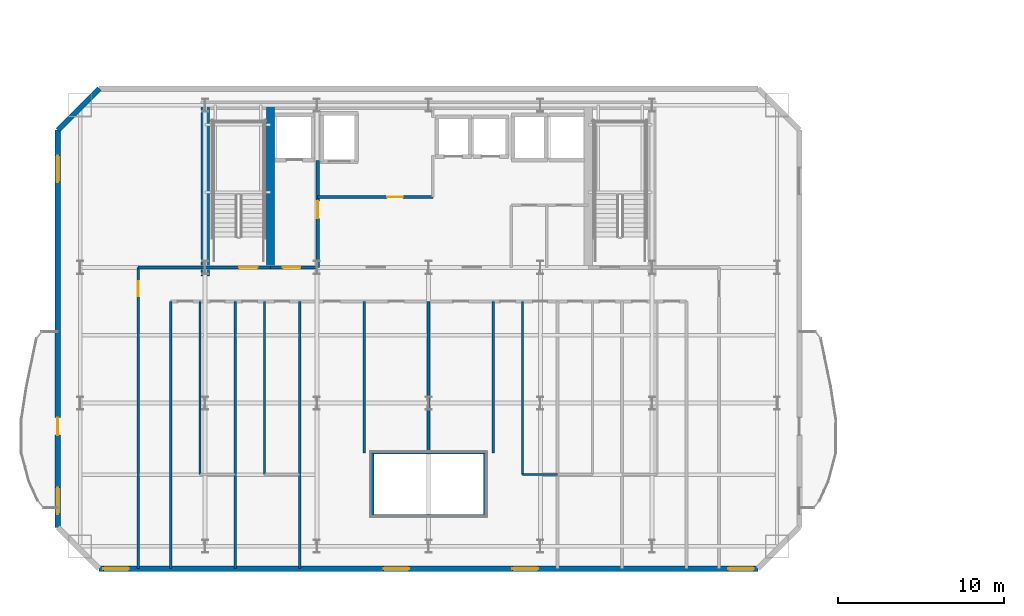
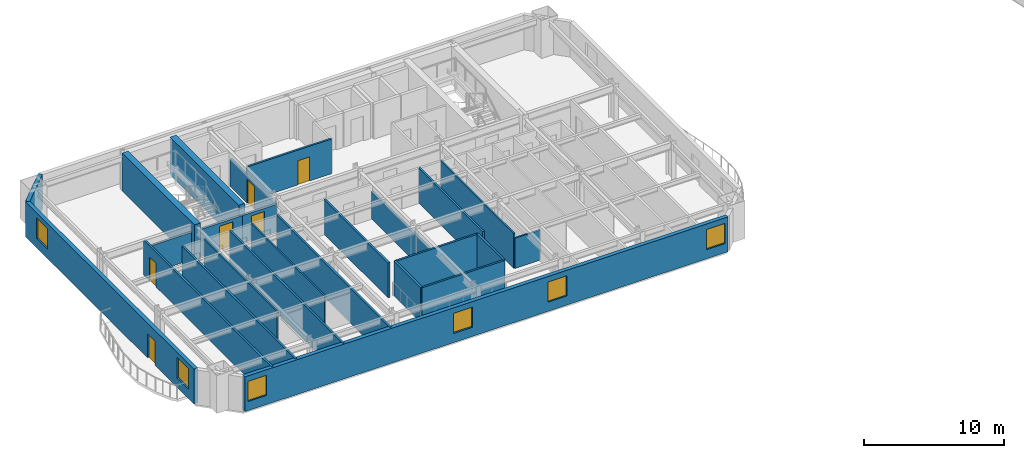
# One storey, part 5 of 14: 25 walls, 6 doors, 6 windows, 12 openings.
"""IFC4 building model written with IfcOpenShell, lengths in metres."""

from ifc_helpers import new_model, si_unit, direction, frame, frame_2d, origin, place, context, subcontext, project, spatial, rectangle, extrude, material, layer, layer_set, type_object, element, fill, save


model = new_model("IFC4")

# Units and contexts
model_context = context("Model", 3, precision=1e-05, world=origin(), true_north=direction((0.0, 1.0)))
body_context = subcontext(model_context, "Body", "Model", "MODEL_VIEW")
ifc_project = project(units=[si_unit("LENGTHUNIT", "METRE"), si_unit("AREAUNIT", "SQUARE_METRE"), si_unit("VOLUMEUNIT", "CUBIC_METRE"), si_unit("PLANEANGLEUNIT", "RADIAN"), si_unit("MASSUNIT", "GRAM", prefix="KILO")], contexts=[model_context])

# Site, building, storey
site_placement = place(None, origin())
site = spatial("IfcSite", under=ifc_project, at=site_placement, CompositionType="ELEMENT")
building_placement = place(site_placement, origin())
building = spatial("IfcBuilding", under=site, at=building_placement, Name="Haevon Station Towers", CompositionType="ELEMENT")
storey_placement = place(building_placement, frame((0.0, 0.0, 116.39990234375)))
storey = spatial("IfcBuildingStorey", under=building, at=storey_placement, Name="L31", CompositionType="ELEMENT", Elevation=116.39990234375)

# Walls
ifc_material_1 = material(Name="Gypsum board on steel stud", Category="steel")
ifc_layer_1 = layer(ifc_material_1, 0.179931640625)
ifc_layer_set_1 = layer_set([ifc_layer_1], Name="Gypsum board on steel stud")
wall_type_1 = type_object("IfcWallType", Name="WL-ACU180", PredefinedType="PARTITIONING", material=ifc_layer_set_1)
wall_1_placement = place(storey_placement, frame((19.949951171875, 38.199951171875, 0.0), z_axis=(0.0, 0.0, 1.0), x_axis=(1.0, 0.0, 0.0)))
element("IfcWall", 1, at=wall_1_placement, inside=storey, type_object=wall_type_1, Name="WL-T1PT-L31-03", PredefinedType="PARTITIONING", context=body_context, shape_type="SweptSolid", body=[
    extrude(rectangle(XDim=4.050048828125, YDim=0.179931640625, at=frame_2d((2.02490234375, 0.0))), origin(), (0.0, 0.0, 1.0), 2.380126953125),
])
wall_2_placement = place(storey_placement, frame((34.10009765625, 23.199951171875, 0.0), z_axis=(0.0, 0.0, 1.0), x_axis=(0.0, 1.0, 0.0)))
element("IfcWall", 2, at=wall_2_placement, inside=storey, type_object=wall_type_1, Name="WL-T1PT-L31-09", PredefinedType="PARTITIONING", context=body_context, shape_type="SweptSolid", body=[
    extrude(rectangle(XDim=3.800048828125, YDim=0.179931640625, at=frame_2d((1.89990234375, 0.0))), origin(), (0.0, 0.0, 1.0), 3.030029296875),
])
wall_3_placement = place(storey_placement, frame((37.5, 27.0, 0.0), z_axis=(0.0, 0.0, 1.0), x_axis=(0.0, 1.0, 0.0)))
element("IfcWall", 3, at=wall_3_placement, inside=storey, type_object=wall_type_1, Name="WL-T1PT-L31-18", PredefinedType="PARTITIONING", context=body_context, shape_type="SweptSolid", body=[
    extrude(rectangle(XDim=9.14990234375, YDim=0.179931640625, at=frame_2d((4.574951171875, 0.0))), origin(), (0.0, 0.0, 1.0), 2.380126953125),
])

# Wall, opening, door
ifc_layer_2 = layer(ifc_material_1, 0.199951171875)
ifc_layer_set_2 = layer_set([ifc_layer_2], Name="Gypsum board on steel stud")
wall_type_2 = type_object("IfcWallType", Name="WL-COR200", PredefinedType="PARTITIONING", material=ifc_layer_set_2)
wall_4_placement = place(storey_placement, frame((24.0, 38.199951171875, 0.0), z_axis=(0.0, 0.0, 1.0), x_axis=(1.0, 0.0, 0.0)))
wall_4 = element("IfcWall", 4, at=wall_4_placement, inside=storey, type_object=wall_type_2, Name="WL-ST-ST1-L31", PredefinedType="PARTITIONING", context=body_context, shape_type="SweptSolid", body=[
    extrude(rectangle(XDim=3.949951171875, YDim=0.199951171875, at=frame_2d((1.97509765625, 0.0))), origin(), (0.0, 0.0, 1.0), 2.380126953125),
])
opening_1_placement = place(wall_4_placement, frame((2.050048828125, 0.0, 0.0)))
opening_1 = element("IfcOpeningElement", 5, at=opening_1_placement, cuts=wall_4, Name="Opening DR-ST-ST1-L31", PredefinedType="OPENING", context=body_context, shape_type="SweptSolid", body=[
    extrude(rectangle(XDim=1.1201171875, YDim=2.10009765625, at=frame_2d((0.56005859375, 1.050048828125))), frame((0.0, 0.10986328125, 0.0), z_axis=(0.0, -1.0, 0.0), x_axis=(1.0, 0.0, 0.0)), (0.0, 0.0, 1.0), 0.219970703125),
])
ifc_material_2 = material(Name="Engineered oak timber", Category="wood")
door_type_1 = type_object("IfcDoorType", Name="DR-ST-1120", OperationType="NOTDEFINED", PredefinedType="DOOR", material=ifc_material_2)
door_1_placement = place(opening_1_placement, origin())
door_1 = element("IfcDoor", 6, at=door_1_placement, inside=storey, type_object=door_type_1, Name="L31 Escape Stair ST1 Fire Door", OperationType="SINGLE_SWING_LEFT", OverallHeight=2.10009765625, OverallWidth=1.1201171875, PredefinedType="DOOR", context=body_context, shape_type="SweptSolid", body=[
    extrude(rectangle(XDim=1.1201171875, YDim=2.10009765625, at=frame_2d((0.56005859375, 1.050048828125))), frame((0.0, 0.02490234375, 0.0), z_axis=(0.0, -1.0, 0.0), x_axis=(1.0, 0.0, 0.0)), (0.0, 0.0, 1.0), 0.050048828125),
])
fill(opening_1, door_1)

wall_5_placement = place(storey_placement, frame((30.800048828125, 38.199951171875, 0.0), z_axis=(0.0, 0.0, 1.0), x_axis=(0.0, 1.0, 0.0)))
wall_5 = element("IfcWall", 7, at=wall_5_placement, inside=storey, type_object=wall_type_2, Name="WL-T1FFL-L31-E", PredefinedType="PARTITIONING", context=body_context, shape_type="SweptSolid", body=[
    extrude(rectangle(XDim=6.449951171875, YDim=0.199951171875, at=frame_2d((3.22509765625, 0.0))), origin(), (0.0, 0.0, 1.0), 2.380126953125),
])
opening_2_placement = place(wall_5_placement, frame((2.9599609375, 0.0, 0.0)))
opening_2 = element("IfcOpeningElement", 8, at=opening_2_placement, cuts=wall_5, Name="Opening DR-T1FFL-L31-E", PredefinedType="OPENING", context=body_context, shape_type="SweptSolid", body=[
    extrude(rectangle(XDim=1.050048828125, YDim=2.10009765625, at=frame_2d((0.52490234375, 1.050048828125))), frame((0.0, 0.10986328125, 0.0), z_axis=(0.0, -1.0, 0.0), x_axis=(1.0, 0.0, 0.0)), (0.0, 0.0, 1.0), 0.219970703125),
])
door_type_2 = type_object("IfcDoorType", Name="DR-FD60-1050", OperationType="NOTDEFINED", PredefinedType="DOOR", material=ifc_material_2)
door_2_placement = place(opening_2_placement, origin())
door_2 = element("IfcDoor", 9, at=door_2_placement, inside=storey, type_object=door_type_2, Name="L31 Tower 1 Firefighting Lift Lobby Door E", OperationType="SINGLE_SWING_LEFT", OverallHeight=2.10009765625, OverallWidth=1.050048828125, PredefinedType="DOOR", context=body_context, shape_type="SweptSolid", body=[
    extrude(rectangle(XDim=1.050048828125, YDim=2.10009765625, at=frame_2d((0.52490234375, 1.050048828125))), frame((0.0, 0.02490234375, 0.0), z_axis=(0.0, -1.0, 0.0), x_axis=(1.0, 0.0, 0.0)), (0.0, 0.0, 1.0), 0.050048828125),
])
fill(opening_2, door_2)

wall_6_placement = place(storey_placement, frame((27.949951171875, 38.199951171875, 0.0), z_axis=(0.0, 0.0, 1.0), x_axis=(1.0, 0.0, 0.0)))
wall_6 = element("IfcWall", 10, at=wall_6_placement, inside=storey, type_object=wall_type_2, Name="WL-T1FFL-L31-S", PredefinedType="PARTITIONING", context=body_context, shape_type="SweptSolid", body=[
    extrude(rectangle(XDim=2.85009765625, YDim=0.199951171875, at=frame_2d((1.425048828125, 0.0))), origin(), (0.0, 0.0, 1.0), 2.380126953125),
])
opening_3_placement = place(wall_6_placement, frame((0.75, 0.0, 0.0)))
opening_3 = element("IfcOpeningElement", 11, at=opening_3_placement, cuts=wall_6, Name="Opening DR-T1FFL-L31-S", PredefinedType="OPENING", context=body_context, shape_type="SweptSolid", body=[
    extrude(rectangle(XDim=1.050048828125, YDim=2.10009765625, at=frame_2d((0.52490234375, 1.050048828125))), frame((0.0, 0.10986328125, 0.0), z_axis=(0.0, -1.0, 0.0), x_axis=(1.0, 0.0, 0.0)), (0.0, 0.0, 1.0), 0.219970703125),
])
door_3_placement = place(opening_3_placement, origin())
door_3 = element("IfcDoor", 12, at=door_3_placement, inside=storey, type_object=door_type_2, Name="L31 Tower 1 Firefighting Lift Lobby Door S", OperationType="SINGLE_SWING_RIGHT", OverallHeight=2.10009765625, OverallWidth=1.050048828125, PredefinedType="DOOR", context=body_context, shape_type="SweptSolid", body=[
    extrude(rectangle(XDim=1.050048828125, YDim=2.10009765625, at=frame_2d((0.52490234375, 1.050048828125))), frame((0.0, 0.02490234375, 0.0), z_axis=(0.0, -1.0, 0.0), x_axis=(1.0, 0.0, 0.0)), (0.0, 0.0, 1.0), 0.050048828125),
])
fill(opening_3, door_3)

# Walls
ifc_material_3 = material(Name="Concrete C60/75", Category="concrete")
ifc_layer_3 = layer(ifc_material_3, 0.5)
ifc_layer_set_3 = layer_set([ifc_layer_3], Name="Concrete C60/75")
wall_type_3 = type_object("IfcWallType", Name="WL-CR500", PredefinedType="SHEAR", material=ifc_layer_set_3)
wall_7_placement = place(storey_placement, frame((24.0, 37.679931640625, 0.0), z_axis=(0.0, 0.0, 1.0), x_axis=(0.0, 1.0, 0.0)))
element("IfcWall", 13, at=wall_7_placement, inside=storey, type_object=wall_type_3, Name="WL-T1CR-L31-W", PredefinedType="SHEAR", context=body_context, shape_type="SweptSolid", body=[
    extrude(rectangle(XDim=10.320068359375, YDim=0.5, at=frame_2d((5.16015625, 0.0))), origin(), (0.0, 0.0, 1.0), 3.300048828125),
])
wall_8_placement = place(storey_placement, frame((27.949951171875, 38.199951171875, 0.0), z_axis=(0.0, 0.0, 1.0), x_axis=(0.0, 1.0, 0.0)))
element("IfcWall", 14, at=wall_8_placement, inside=storey, type_object=wall_type_3, Name="WL-T1CR-L31-M1", PredefinedType="SHEAR", context=body_context, shape_type="SweptSolid", body=[
    extrude(rectangle(XDim=9.800048828125, YDim=0.5, at=frame_2d((4.89990234375, 0.0))), origin(), (0.0, 0.0, 1.0), 3.300048828125),
])

# Wall, openings, windows
ifc_material_4 = material(Name="Precast concrete C45/55", Category="concrete")
ifc_layer_4 = layer(ifc_material_4, 0.320068359375)
ifc_layer_set_4 = layer_set([ifc_layer_4], Name="Precast concrete C45/55")
wall_type_4 = type_object("IfcWallType", Name="WL-EXT-PIER320", PredefinedType="SOLIDWALL", material=ifc_layer_set_4)
wall_9_placement = place(storey_placement, frame((57.39990234375, 20.0, 0.0), z_axis=(0.0, 0.0, 1.0), x_axis=(-1.0, 0.0, 0.0)))
wall_9 = element("IfcWall", 15, at=wall_9_placement, inside=storey, type_object=wall_type_4, Name="WL-T1-L31-S", PredefinedType="SOLIDWALL", context=body_context, shape_type="SweptSolid", body=[
    extrude(rectangle(XDim=39.7998046875, YDim=0.320068359375, at=frame_2d((19.89990234375, 0.0))), origin(), (0.0, 0.0, 1.0), 3.030029296875),
])
opening_4_placement = place(wall_9_placement, frame((38.0, 0.0, 0.800048828125)))
opening_4 = element("IfcOpeningElement", 16, at=opening_4_placement, cuts=wall_9, Name="Opening WN-P155", PredefinedType="OPENING", context=body_context, shape_type="SweptSolid", body=[
    extrude(rectangle(XDim=1.550048828125, YDim=1.75, at=frame_2d((0.77490234375, 0.875))), frame((0.0, 0.169921875, 0.0), z_axis=(0.0, -1.0, 0.0), x_axis=(1.0, 0.0, 0.0)), (0.0, 0.0, 1.0), 0.340087890625),
])
opening_5_placement = place(wall_9_placement, frame((0.25, 0.0, 0.800048828125)))
opening_5 = element("IfcOpeningElement", 17, at=opening_5_placement, cuts=wall_9, Name="Opening WN-P155", PredefinedType="OPENING", context=body_context, shape_type="SweptSolid", body=[
    extrude(rectangle(XDim=1.550048828125, YDim=1.75, at=frame_2d((0.77490234375, 0.875))), frame((0.0, 0.169921875, 0.0), z_axis=(0.0, -1.0, 0.0), x_axis=(1.0, 0.0, 0.0)), (0.0, 0.0, 1.0), 0.340087890625),
])
opening_6_placement = place(wall_9_placement, frame((21.072509765625, 0.0, 0.800048828125)))
opening_6 = element("IfcOpeningElement", 18, at=opening_6_placement, cuts=wall_9, Name="Opening WN-P155", PredefinedType="OPENING", context=body_context, shape_type="SweptSolid", body=[
    extrude(rectangle(XDim=1.550048828125, YDim=1.75, at=frame_2d((0.77490234375, 0.875))), frame((0.0, 0.169921875, 0.0), z_axis=(0.0, -1.0, 0.0), x_axis=(1.0, 0.0, 0.0)), (0.0, 0.0, 1.0), 0.340087890625),
])
opening_7_placement = place(wall_9_placement, frame((13.282470703125, 0.0, 0.800048828125)))
opening_7 = element("IfcOpeningElement", 19, at=opening_7_placement, cuts=wall_9, Name="Opening WN-P155", PredefinedType="OPENING", context=body_context, shape_type="SweptSolid", body=[
    extrude(rectangle(XDim=1.550048828125, YDim=1.75, at=frame_2d((0.77490234375, 0.875))), frame((0.0, 0.169921875, 0.0), z_axis=(0.0, -1.0, 0.0), x_axis=(1.0, 0.0, 0.0)), (0.0, 0.0, 1.0), 0.340087890625),
])
ifc_material_5 = material(Name="Low-E triple glazing in thermally broken aluminium", Category="aluminium")
window_type_1 = type_object("IfcWindowType", Name="WN-P155", PartitioningType="SINGLE_PANEL", PredefinedType="WINDOW", material=ifc_material_5)
window_1_placement = place(opening_4_placement, origin())
window_1 = element("IfcWindow", 20, at=window_1_placement, inside=storey, type_object=window_type_1, Name="WN-T1-L31-S01", OverallHeight=1.75, OverallWidth=1.550048828125, PartitioningType="SINGLE_PANEL", PredefinedType="WINDOW", context=body_context, shape_type="SweptSolid", body=[
    extrude(rectangle(XDim=1.550048828125, YDim=1.75, at=frame_2d((0.77490234375, 0.875))), frame((0.0, 0.030029296875, 0.0), z_axis=(0.0, -1.0, 0.0), x_axis=(1.0, 0.0, 0.0)), (0.0, 0.0, 1.0), 0.06005859375),
])
fill(opening_4, window_1)
window_2_placement = place(opening_5_placement, origin())
window_2 = element("IfcWindow", 21, at=window_2_placement, inside=storey, type_object=window_type_1, Name="WN-T1-L31-S02", OverallHeight=1.75, OverallWidth=1.550048828125, PartitioningType="SINGLE_PANEL", PredefinedType="WINDOW", context=body_context, shape_type="SweptSolid", body=[
    extrude(rectangle(XDim=1.550048828125, YDim=1.75, at=frame_2d((0.77490234375, 0.875))), frame((0.0, 0.030029296875, 0.0), z_axis=(0.0, -1.0, 0.0), x_axis=(1.0, 0.0, 0.0)), (0.0, 0.0, 1.0), 0.06005859375),
])
fill(opening_5, window_2)
window_3_placement = place(opening_6_placement, origin())
window_3 = element("IfcWindow", 22, at=window_3_placement, inside=storey, type_object=window_type_1, Name="WN-T1-L31-S03", OverallHeight=1.75, OverallWidth=1.550048828125, PartitioningType="SINGLE_PANEL", PredefinedType="WINDOW", context=body_context, shape_type="SweptSolid", body=[
    extrude(rectangle(XDim=1.550048828125, YDim=1.75, at=frame_2d((0.77490234375, 0.875))), frame((0.0, 0.030029296875, 0.0), z_axis=(0.0, -1.0, 0.0), x_axis=(1.0, 0.0, 0.0)), (0.0, 0.0, 1.0), 0.06005859375),
])
fill(opening_6, window_3)
window_4_placement = place(opening_7_placement, origin())
window_4 = element("IfcWindow", 23, at=window_4_placement, inside=storey, type_object=window_type_1, Name="WN-T1-L31-S04", OverallHeight=1.75, OverallWidth=1.550048828125, PartitioningType="SINGLE_PANEL", PredefinedType="WINDOW", context=body_context, shape_type="SweptSolid", body=[
    extrude(rectangle(XDim=1.550048828125, YDim=1.75, at=frame_2d((0.77490234375, 0.875))), frame((0.0, 0.030029296875, 0.0), z_axis=(0.0, -1.0, 0.0), x_axis=(1.0, 0.0, 0.0)), (0.0, 0.0, 1.0), 0.06005859375),
])
fill(opening_7, window_4)

# Wall, openings, door, windows
wall_10_placement = place(storey_placement, frame((15.10009765625, 22.5, 0.0), z_axis=(0.0, 0.0, 1.0), x_axis=(0.0, 1.0, 0.0)))
wall_10 = element("IfcWall", 24, at=wall_10_placement, inside=storey, type_object=wall_type_4, Name="WL-T1-L31-W", PredefinedType="SOLIDWALL", context=body_context, shape_type="SweptSolid", body=[
    extrude(rectangle(XDim=24.0, YDim=0.320068359375, at=frame_2d((12.0, 0.0))), origin(), (0.0, 0.0, 1.0), 3.030029296875),
])
opening_8_placement = place(wall_10_placement, frame((5.574951171875, 0.0, 0.0)))
opening_8 = element("IfcOpeningElement", 25, at=opening_8_placement, cuts=wall_10, Name="Opening DR-T1-SCAL-L31-W", PredefinedType="OPENING", context=body_context, shape_type="SweptSolid", body=[
    extrude(rectangle(XDim=1.050048828125, YDim=2.10009765625, at=frame_2d((0.52490234375, 1.050048828125))), frame((0.0, 0.169921875, 0.0), z_axis=(0.0, -1.0, 0.0), x_axis=(1.0, 0.0, 0.0)), (0.0, 0.0, 1.0), 0.340087890625),
])
opening_9_placement = place(wall_10_placement, frame((0.800048828125, 0.0, 0.800048828125)))
opening_9 = element("IfcOpeningElement", 26, at=opening_9_placement, cuts=wall_10, Name="Opening WN-END160", PredefinedType="OPENING", context=body_context, shape_type="SweptSolid", body=[
    extrude(rectangle(XDim=1.60009765625, YDim=1.800048828125, at=frame_2d((0.800048828125, 0.89990234375))), frame((0.0, 0.169921875, 0.0), z_axis=(0.0, -1.0, 0.0), x_axis=(1.0, 0.0, 0.0)), (0.0, 0.0, 1.0), 0.340087890625),
])
opening_10_placement = place(wall_10_placement, frame((20.857177734375, 0.0, 0.800048828125)))
opening_10 = element("IfcOpeningElement", 27, at=opening_10_placement, cuts=wall_10, Name="Opening WN-END160", PredefinedType="OPENING", context=body_context, shape_type="SweptSolid", body=[
    extrude(rectangle(XDim=1.60009765625, YDim=1.800048828125, at=frame_2d((0.800048828125, 0.89990234375))), frame((0.0, 0.169921875, 0.0), z_axis=(0.0, -1.0, 0.0), x_axis=(1.0, 0.0, 0.0)), (0.0, 0.0, 1.0), 0.340087890625),
])
ifc_material_6 = material(Name="Thermally broken anodised aluminium and laminated safety glass", Category="aluminium")
door_type_3 = type_object("IfcDoorType", Name="DR-BALC-1050", OperationType="NOTDEFINED", PredefinedType="DOOR", material=ifc_material_6)
door_4_placement = place(opening_8_placement, origin())
door_4 = element("IfcDoor", 28, at=door_4_placement, inside=storey, type_object=door_type_3, Name="Tower 1 L31 West Scalloped Balcony Door", OperationType="SINGLE_SWING_LEFT", OverallHeight=2.10009765625, OverallWidth=1.050048828125, PredefinedType="DOOR", context=body_context, shape_type="SweptSolid", body=[
    extrude(rectangle(XDim=1.050048828125, YDim=2.10009765625, at=frame_2d((0.52490234375, 1.050048828125))), frame((0.0, 0.02490234375, 0.0), z_axis=(0.0, -1.0, 0.0), x_axis=(1.0, 0.0, 0.0)), (0.0, 0.0, 1.0), 0.050048828125),
])
fill(opening_8, door_4)
window_type_2 = type_object("IfcWindowType", Name="WN-END160", PartitioningType="SINGLE_PANEL", PredefinedType="WINDOW", material=ifc_material_5)
window_5_placement = place(opening_9_placement, origin())
window_5 = element("IfcWindow", 29, at=window_5_placement, inside=storey, type_object=window_type_2, Name="WN-T1-L31-W01", OverallHeight=1.800048828125, OverallWidth=1.60009765625, PartitioningType="SINGLE_PANEL", PredefinedType="WINDOW", context=body_context, shape_type="SweptSolid", body=[
    extrude(rectangle(XDim=1.60009765625, YDim=1.800048828125, at=frame_2d((0.800048828125, 0.89990234375))), frame((0.0, 0.030029296875, 0.0), z_axis=(0.0, -1.0, 0.0), x_axis=(1.0, 0.0, 0.0)), (0.0, 0.0, 1.0), 0.06005859375),
])
fill(opening_9, window_5)
window_6_placement = place(opening_10_placement, origin())
window_6 = element("IfcWindow", 30, at=window_6_placement, inside=storey, type_object=window_type_2, Name="WN-T1-L31-W02", OverallHeight=1.800048828125, OverallWidth=1.60009765625, PartitioningType="SINGLE_PANEL", PredefinedType="WINDOW", context=body_context, shape_type="SweptSolid", body=[
    extrude(rectangle(XDim=1.60009765625, YDim=1.800048828125, at=frame_2d((0.800048828125, 0.89990234375))), frame((0.0, 0.030029296875, 0.0), z_axis=(0.0, -1.0, 0.0), x_axis=(1.0, 0.0, 0.0)), (0.0, 0.0, 1.0), 0.06005859375),
])
fill(opening_10, window_6)

# Walls
wall_11_placement = place(storey_placement, frame((15.10009765625, 46.5, 0.0), z_axis=(0.0, 0.0, 1.0), x_axis=(0.707106781187, 0.707106781187, 0.0)))
element("IfcWall", 31, at=wall_11_placement, inside=storey, type_object=wall_type_4, Name="WL-T1-L31-NWC", PredefinedType="SOLIDWALL", context=body_context, shape_type="SweptSolid", body=[
    extrude(rectangle(XDim=3.53564453125, YDim=0.320068359375, at=frame_2d((1.767822265625, 0.0))), origin(), (0.0, 0.0, 1.0), 3.030029296875),
])
ifc_layer_5 = layer(ifc_material_1, 0.125)
ifc_layer_set_5 = layer_set([ifc_layer_5], Name="Gypsum board on steel stud")
wall_type_5 = type_object("IfcWallType", Name="WL-PRT125", PredefinedType="PARTITIONING", material=ifc_layer_set_5)
for number, where, z_axis, x_axis, name in (
    (32, (23.699951171875, 25.697021484375, 0.0), (0.0, 0.0, 1.0), (0.0, 1.0, 0.0), "WL-T1PT-L31-12"),
    (33, (27.594970703125, 25.697021484375, 0.0), (0.0, 0.0, 1.0), (0.0, 1.0, 0.0), "WL-T1PT-L31-15"),
):
    element("IfcWall", number, at=place(storey_placement, frame(where, z_axis=z_axis, x_axis=x_axis)), inside=storey, type_object=wall_type_5, Name=name, PredefinedType="PARTITIONING", context=body_context, shape_type="SweptSolid", body=[
        extrude(rectangle(XDim=10.452880859375, YDim=0.125, at=frame_2d((5.2265625, 0.0))), origin(), (0.0, 0.0, 1.0), 3.030029296875),
    ])
wall_12_placement = place(storey_placement, frame((43.175048828125, 25.697021484375, 0.0), z_axis=(0.0, 0.0, 1.0), x_axis=(1.0, 0.0, 0.0)))
element("IfcWall", 34, at=wall_12_placement, inside=storey, type_object=wall_type_5, Name="WL-T1PT-L31-22", PredefinedType="PARTITIONING", context=body_context, shape_type="SweptSolid", body=[
    extrude(rectangle(XDim=2.114990234375, YDim=0.125, at=frame_2d((1.0576171875, 0.0))), origin(), (0.0, 0.0, 1.0), 2.630126953125),
])
wall_13_placement = place(storey_placement, frame((43.175048828125, 25.697021484375, 0.0), z_axis=(0.0, 0.0, 1.0), x_axis=(0.0, 1.0, 0.0)))
element("IfcWall", 35, at=wall_13_placement, inside=storey, type_object=wall_type_5, Name="WL-T1PT-L31-23", PredefinedType="PARTITIONING", context=body_context, shape_type="SweptSolid", body=[
    extrude(rectangle(XDim=10.452880859375, YDim=0.125, at=frame_2d((5.2265625, 0.0))), origin(), (0.0, 0.0, 1.0), 3.030029296875),
])

# Wall, opening, door
ifc_layer_6 = layer(ifc_material_1, 0.159912109375)
ifc_layer_set_6 = layer_set([ifc_layer_6], Name="Gypsum board on steel stud")
wall_type_6 = type_object("IfcWallType", Name="WL-PRT160", PredefinedType="PARTITIONING", material=ifc_layer_set_6)
wall_14_placement = place(storey_placement, frame((30.800048828125, 42.449951171875, 0.0), z_axis=(0.0, 0.0, 1.0), x_axis=(1.0, 0.0, 0.0)))
wall_14 = element("IfcWall", 36, at=wall_14_placement, inside=storey, type_object=wall_type_6, Name="WL-T1CW-L31-01", PredefinedType="PARTITIONING", context=body_context, shape_type="SweptSolid", body=[
    extrude(rectangle(XDim=6.949951171875, YDim=0.159912109375, at=frame_2d((3.47509765625, 0.0))), origin(), (0.0, 0.0, 1.0), 3.030029296875),
])
opening_11_placement = place(wall_14_placement, frame((4.199951171875, 0.0, 0.0)))
opening_11 = element("IfcOpeningElement", 37, at=opening_11_placement, cuts=wall_14, Name="Opening DR-WL-T1CW-L31-01-1", PredefinedType="OPENING", context=body_context, shape_type="SweptSolid", body=[
    extrude(rectangle(XDim=0.949951171875, YDim=2.10009765625, at=frame_2d((0.47509765625, 1.050048828125))), frame((0.0, 0.08984375, 0.0), z_axis=(0.0, -1.0, 0.0), x_axis=(1.0, 0.0, 0.0)), (0.0, 0.0, 1.0), 0.179931640625),
])
door_type_4 = type_object("IfcDoorType", Name="DR-FD60-950", OperationType="NOTDEFINED", PredefinedType="DOOR", material=ifc_material_2)
door_5_placement = place(opening_11_placement, origin())
door_5 = element("IfcDoor", 38, at=door_5_placement, inside=storey, type_object=door_type_4, Name="L31 Tower 1 Core Room Door 1-1", OperationType="SINGLE_SWING_LEFT", OverallHeight=2.10009765625, OverallWidth=0.949951171875, PredefinedType="DOOR", context=body_context, shape_type="SweptSolid", body=[
    extrude(rectangle(XDim=0.949951171875, YDim=2.10009765625, at=frame_2d((0.47509765625, 1.050048828125))), frame((0.0, 0.02490234375, 0.0), z_axis=(0.0, -1.0, 0.0), x_axis=(1.0, 0.0, 0.0)), (0.0, 0.0, 1.0), 0.050048828125),
])
fill(opening_11, door_5)

# Wall
wall_15_placement = place(storey_placement, frame((21.919921875, 20.0, 0.0), z_axis=(0.0, 0.0, 1.0), x_axis=(0.0, 1.0, 0.0)))
element("IfcWall", 39, at=wall_15_placement, inside=storey, type_object=wall_type_6, Name="WL-T1PT-L31-01", PredefinedType="PARTITIONING", context=body_context, shape_type="SweptSolid", body=[
    extrude(rectangle(XDim=16.14990234375, YDim=0.159912109375, at=frame_2d((8.074951171875, 0.0))), origin(), (0.0, 0.0, 1.0), 3.030029296875),
])

# Wall, opening, door
wall_16_placement = place(storey_placement, frame((19.949951171875, 20.0, 0.0), z_axis=(0.0, 0.0, 1.0), x_axis=(0.0, 1.0, 0.0)))
wall_16 = element("IfcWall", 40, at=wall_16_placement, inside=storey, type_object=wall_type_6, Name="WL-T1PT-L31-05", PredefinedType="PARTITIONING", context=body_context, shape_type="SweptSolid", body=[
    extrude(rectangle(XDim=18.199951171875, YDim=0.159912109375, at=frame_2d((9.10009765625, 0.0))), origin(), (0.0, 0.0, 1.0), 3.030029296875),
])
opening_12_placement = place(wall_16_placement, frame((16.469970703125, 0.0, 0.0)))
opening_12 = element("IfcOpeningElement", 41, at=opening_12_placement, cuts=wall_16, Name="Opening DR-WL-T1PT-L31-05-01", PredefinedType="OPENING", context=body_context, shape_type="SweptSolid", body=[
    extrude(rectangle(XDim=0.89990234375, YDim=2.050048828125, at=frame_2d((0.449951171875, 1.02490234375))), frame((0.0, 0.08984375, 0.0), z_axis=(0.0, -1.0, 0.0), x_axis=(1.0, 0.0, 0.0)), (0.0, 0.0, 1.0), 0.179931640625),
])
door_type_5 = type_object("IfcDoorType", Name="DR-INT-900", OperationType="NOTDEFINED", PredefinedType="DOOR", material=ifc_material_2)
door_6_placement = place(opening_12_placement, origin())
door_6 = element("IfcDoor", 42, at=door_6_placement, inside=storey, type_object=door_type_5, Name="L31 Tower 1 Room Door 5-1", OperationType="SINGLE_SWING_RIGHT", OverallHeight=2.050048828125, OverallWidth=0.89990234375, PredefinedType="DOOR", context=body_context, shape_type="SweptSolid", body=[
    extrude(rectangle(XDim=0.89990234375, YDim=2.050048828125, at=frame_2d((0.449951171875, 1.02490234375))), frame((0.0, 0.02490234375, 0.0), z_axis=(0.0, -1.0, 0.0), x_axis=(1.0, 0.0, 0.0)), (0.0, 0.0, 1.0), 0.050048828125),
])
fill(opening_12, door_6)

# Walls
for number, where, z_axis, x_axis, name in (
    (43, (34.10009765625, 23.199951171875, 0.0), (0.0, 0.0, 1.0), (1.0, 0.0, 0.0), "WL-T1PT-L31-07"),
    (44, (34.10009765625, 27.0, 0.0), (0.0, 0.0, 1.0), (1.0, 0.0, 0.0), "WL-T1PT-L31-08"),
):
    element("IfcWall", number, at=place(storey_placement, frame(where, z_axis=z_axis, x_axis=x_axis)), inside=storey, type_object=wall_type_6, Name=name, PredefinedType="PARTITIONING", context=body_context, shape_type="SweptSolid", body=[
        extrude(rectangle(XDim=6.7998046875, YDim=0.159912109375, at=frame_2d((3.39990234375, 0.0))), origin(), (0.0, 0.0, 1.0), 3.030029296875),
    ])
wall_17_placement = place(storey_placement, frame((40.89990234375, 23.199951171875, 0.0), z_axis=(0.0, 0.0, 1.0), x_axis=(0.0, 1.0, 0.0)))
element("IfcWall", 45, at=wall_17_placement, inside=storey, type_object=wall_type_6, Name="WL-T1PT-L31-10", PredefinedType="PARTITIONING", context=body_context, shape_type="SweptSolid", body=[
    extrude(rectangle(XDim=3.800048828125, YDim=0.159912109375, at=frame_2d((1.89990234375, 0.0))), origin(), (0.0, 0.0, 1.0), 3.030029296875),
])
for number, where, z_axis, x_axis, name in (
    (46, (25.81494140625, 20.0, 0.0), (0.0, 0.0, 1.0), (0.0, 1.0, 0.0), "WL-T1PT-L31-13"),
    (47, (29.7099609375, 20.0, 0.0), (0.0, 0.0, 1.0), (0.0, 1.0, 0.0), "WL-T1PT-L31-16"),
):
    element("IfcWall", number, at=place(storey_placement, frame(where, z_axis=z_axis, x_axis=x_axis)), inside=storey, type_object=wall_type_6, Name=name, PredefinedType="PARTITIONING", context=body_context, shape_type="SweptSolid", body=[
        extrude(rectangle(XDim=16.14990234375, YDim=0.159912109375, at=frame_2d((8.074951171875, 0.0))), origin(), (0.0, 0.0, 1.0), 3.030029296875),
    ])
for number, where, z_axis, x_axis, name in (
    (48, (33.60498046875, 27.0, 0.0), (0.0, 0.0, 1.0), (0.0, 1.0, 0.0), "WL-T1PT-L31-17"),
    (49, (41.39501953125, 27.0, 0.0), (0.0, 0.0, 1.0), (0.0, 1.0, 0.0), "WL-T1PT-L31-20"),
):
    element("IfcWall", number, at=place(storey_placement, frame(where, z_axis=z_axis, x_axis=x_axis)), inside=storey, type_object=wall_type_6, Name=name, PredefinedType="PARTITIONING", context=body_context, shape_type="SweptSolid", body=[
        extrude(rectangle(XDim=9.14990234375, YDim=0.159912109375, at=frame_2d((4.574951171875, 0.0))), origin(), (0.0, 0.0, 1.0), 3.030029296875),
    ])

save(model, "model.ifc")
